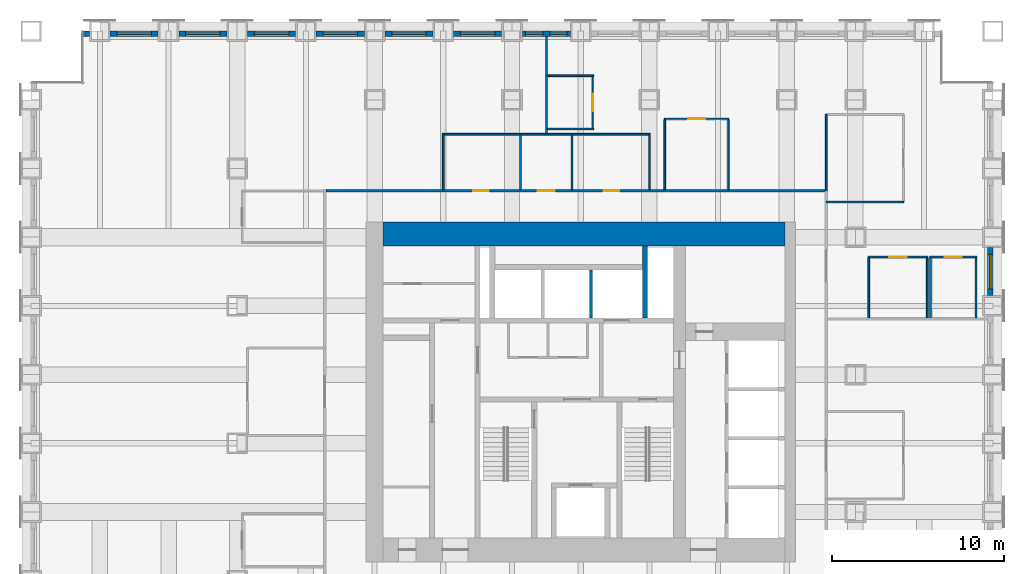
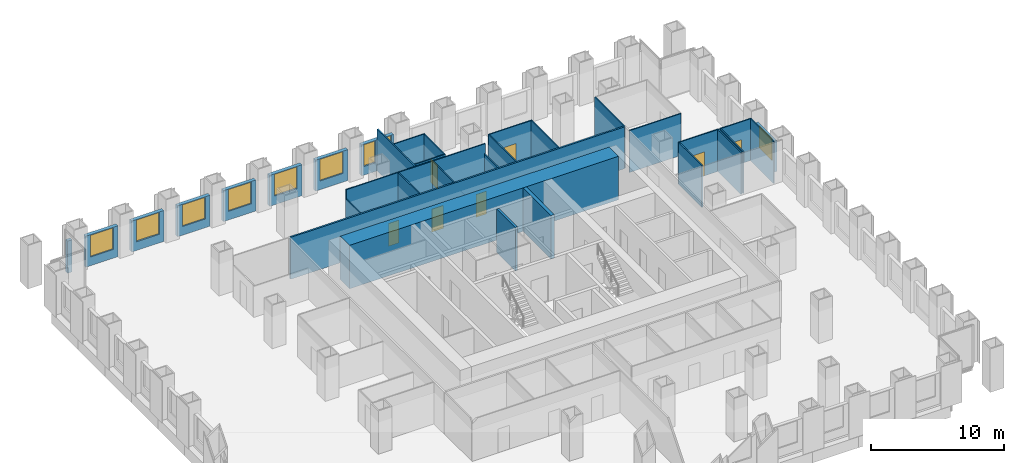
# One storey, part 11 of 14: 33 walls, 9 windows, 7 doors, 16 openings.
"""IFC4 building model written with IfcOpenShell, lengths in metres."""

from ifc_helpers import new_model, si_unit, direction, frame, frame_2d, origin, place, context, subcontext, project, spatial, rectangle, extrude, material, layer, layer_set, type_object, element, fill, save


model = new_model("IFC4")

# Units and contexts
model_context = context("Model", 3, precision=1e-05, world=origin(), true_north=direction((0.0, 1.0)))
body_context = subcontext(model_context, "Body", "Model", "MODEL_VIEW")
ifc_project = project(units=[si_unit("LENGTHUNIT", "METRE"), si_unit("AREAUNIT", "SQUARE_METRE"), si_unit("VOLUMEUNIT", "CUBIC_METRE"), si_unit("PLANEANGLEUNIT", "RADIAN"), si_unit("MASSUNIT", "GRAM", prefix="KILO")], contexts=[model_context])

# Site, building, storey
site_placement = place(None, origin())
site = spatial("IfcSite", under=ifc_project, at=site_placement, CompositionType="ELEMENT")
building_placement = place(site_placement, origin())
building = spatial("IfcBuilding", under=site, at=building_placement, Name="Rimbunsela Tower", CompositionType="ELEMENT")
storey_placement = place(building_placement, frame((0.0, 0.0, 51.0)))
storey = spatial("IfcBuildingStorey", under=building, at=storey_placement, Name="L12", CompositionType="ELEMENT", Elevation=51.0)

# Walls
ifc_material_1 = material(Name="Concrete fc' 80 MPa", Category="concrete")
ifc_layer_1 = layer(ifc_material_1, 0.300048828125)
ifc_layer_set_1 = layer_set([ifc_layer_1], Name="Core internal wall 300")
wall_type_1 = type_object("IfcWallType", Name="Core internal wall 300", PredefinedType="SHEAR", material=ifc_layer_set_1)
wall_1_placement = place(storey_placement, frame((33.75, 31.300048828125, -0.14990234375), z_axis=(0.0, 0.0, 1.0), x_axis=(0.0, 1.0, 0.0)))
element("IfcWall", 1, at=wall_1_placement, inside=storey, type_object=wall_type_1, Name="Riser wall", PredefinedType="SHEAR", context=body_context, shape_type="SweptSolid", body=[
    extrude(rectangle(XDim=4.199951171875, YDim=0.300048828125, at=frame_2d((2.10009765625, 0.0))), origin(), (0.0, 0.0, 1.0), 4.0),
])
ifc_material_2 = material(Name="Concrete fc' 80 MPa", Category="concrete")
ifc_layer_2 = layer(ifc_material_2, 1.39990234375)
ifc_layer_set_2 = layer_set([ifc_layer_2], Name="Core wall 1400")
wall_type_2 = type_object("IfcWallType", Name="Core wall 1400", PredefinedType="SHEAR", material=ifc_layer_set_2)
wall_2_placement = place(storey_placement, frame((18.5, 36.199951171875, -0.14990234375), z_axis=(0.0, 0.0, 1.0), x_axis=(1.0, 0.0, 0.0)))
element("IfcWall", 2, at=wall_2_placement, inside=storey, type_object=wall_type_2, Name="Core wall north", PredefinedType="SHEAR", context=body_context, shape_type="SweptSolid", body=[
    extrude(rectangle(XDim=23.39990234375, YDim=1.39990234375, at=frame_2d((11.699951171875, 0.0))), origin(), (0.0, 0.0, 1.0), 4.0),
])
ifc_material_3 = material(Name="Concrete blockwork", Category="masonry")
ifc_layer_3 = layer(ifc_material_3, 0.199951171875)
ifc_layer_set_3 = layer_set([ifc_layer_3], Name="Lift shaft wall 200")
wall_type_3 = type_object("IfcWallType", Name="Lift shaft wall 200", PredefinedType="SOLIDWALL", material=ifc_layer_set_3)
wall_3_placement = place(storey_placement, frame((30.60009765625, 31.300048828125, -0.14990234375), z_axis=(0.0, 0.0, 1.0), x_axis=(0.0, 1.0, 0.0)))
element("IfcWall", 3, at=wall_3_placement, inside=storey, type_object=wall_type_3, Name="Lift shaft separation", PredefinedType="SOLIDWALL", context=body_context, shape_type="SweptSolid", body=[
    extrude(rectangle(XDim=2.800048828125, YDim=0.199951171875, at=frame_2d((1.39990234375, 0.0))), origin(), (0.0, 0.0, 1.0), 4.0),
])

# Wall, opening, door
ifc_material_4 = material(Name="Gypsum board on steel studs", Category="steel")
ifc_layer_4 = layer(ifc_material_4, 0.10009765625)
ifc_layer_set_4 = layer_set([ifc_layer_4], Name="Office partition 100")
wall_type_4 = type_object("IfcWallType", Name="Office partition 100", PredefinedType="PARTITIONING", material=ifc_layer_set_4)
wall_4_placement = place(storey_placement, frame((46.72509765625, 34.85009765625, 0.0), z_axis=(0.0, 0.0, 1.0), x_axis=(1.0, 0.0, 0.0)))
wall_4 = element("IfcWall", 4, at=wall_4_placement, inside=storey, type_object=wall_type_4, Name="Office partition", PredefinedType="PARTITIONING", context=body_context, shape_type="SweptSolid", body=[
    extrude(rectangle(XDim=3.5, YDim=0.10009765625, at=frame_2d((1.75, 0.0))), origin(), (0.0, 0.0, 1.0), 3.85009765625),
])
opening_1_placement = place(wall_4_placement, frame((1.25, 0.0, 0.0)))
opening_1 = element("IfcOpeningElement", 5, at=opening_1_placement, cuts=wall_4, Name="Opening D16", PredefinedType="OPENING", context=body_context, shape_type="SweptSolid", body=[
    extrude(rectangle(XDim=1.0, YDim=2.199951171875, at=frame_2d((0.5, 1.10009765625))), frame((0.0, 0.06005859375, 0.0), z_axis=(0.0, -1.0, 0.0), x_axis=(1.0, 0.0, 0.0)), (0.0, 0.0, 1.0), 0.1201171875),
])
ifc_material_5 = material(Name="Timber door", Category="wood")
door_type_1 = type_object("IfcDoorType", Name="Office door 1000", OperationType="SINGLE_SWING_LEFT", PredefinedType="DOOR", material=ifc_material_5)
door_1_placement = place(opening_1_placement, origin())
door_1 = element("IfcDoor", 6, at=door_1_placement, inside=storey, type_object=door_type_1, Name="Office door", OperationType="SINGLE_SWING_LEFT", OverallHeight=2.199951171875, OverallWidth=1.0, PredefinedType="DOOR", context=body_context, shape_type="SweptSolid", body=[
    extrude(rectangle(XDim=1.0, YDim=2.199951171875, at=frame_2d((0.5, 1.10009765625))), frame((0.0, 0.02490234375, 0.0), z_axis=(0.0, -1.0, 0.0), x_axis=(1.0, 0.0, 0.0)), (0.0, 0.0, 1.0), 0.050048828125),
])
fill(opening_1, door_1)

wall_5_placement = place(storey_placement, frame((50.324951171875, 34.85009765625, 0.0), z_axis=(0.0, 0.0, 1.0), x_axis=(1.0, 0.0, 0.0)))
wall_5 = element("IfcWall", 7, at=wall_5_placement, inside=storey, type_object=wall_type_4, Name="Office partition", PredefinedType="PARTITIONING", context=body_context, shape_type="SweptSolid", body=[
    extrude(rectangle(XDim=2.75, YDim=0.10009765625, at=frame_2d((1.375, 0.0))), origin(), (0.0, 0.0, 1.0), 3.85009765625),
])
opening_2_placement = place(wall_5_placement, frame((0.875, 0.0, 0.0)))
opening_2 = element("IfcOpeningElement", 8, at=opening_2_placement, cuts=wall_5, Name="Opening D16", PredefinedType="OPENING", context=body_context, shape_type="SweptSolid", body=[
    extrude(rectangle(XDim=1.0, YDim=2.199951171875, at=frame_2d((0.5, 1.10009765625))), frame((0.0, 0.06005859375, 0.0), z_axis=(0.0, -1.0, 0.0), x_axis=(1.0, 0.0, 0.0)), (0.0, 0.0, 1.0), 0.1201171875),
])
door_2_placement = place(opening_2_placement, origin())
door_2 = element("IfcDoor", 9, at=door_2_placement, inside=storey, type_object=door_type_1, Name="Office door", OperationType="SINGLE_SWING_LEFT", OverallHeight=2.199951171875, OverallWidth=1.0, PredefinedType="DOOR", context=body_context, shape_type="SweptSolid", body=[
    extrude(rectangle(XDim=1.0, YDim=2.199951171875, at=frame_2d((0.5, 1.10009765625))), frame((0.0, 0.02490234375, 0.0), z_axis=(0.0, -1.0, 0.0), x_axis=(1.0, 0.0, 0.0)), (0.0, 0.0, 1.0), 0.050048828125),
])
fill(opening_2, door_2)

# Wall
wall_6_placement = place(storey_placement, frame((28.06005859375, 42.300048828125, 0.0), z_axis=(0.0, 0.0, 1.0), x_axis=(1.0, 0.0, 0.0)))
element("IfcWall", 10, at=wall_6_placement, inside=storey, type_object=wall_type_4, Name="Office partition", PredefinedType="PARTITIONING", context=body_context, shape_type="SweptSolid", body=[
    extrude(rectangle(XDim=2.68994140625, YDim=0.10009765625, at=frame_2d((1.344970703125, 0.0))), origin(), (0.0, 0.0, 1.0), 3.85009765625),
])

# Wall, opening, door
wall_7_placement = place(storey_placement, frame((34.85009765625, 42.89990234375, 0.0), z_axis=(0.0, 0.0, 1.0), x_axis=(1.0, 0.0, 0.0)))
wall_7 = element("IfcWall", 11, at=wall_7_placement, inside=storey, type_object=wall_type_4, Name="Office partition", PredefinedType="PARTITIONING", context=body_context, shape_type="SweptSolid", body=[
    extrude(rectangle(XDim=3.7998046875, YDim=0.10009765625, at=frame_2d((1.89990234375, 0.0))), origin(), (0.0, 0.0, 1.0), 3.85009765625),
])
opening_3_placement = place(wall_7_placement, frame((1.39990234375, 0.0, 0.0)))
opening_3 = element("IfcOpeningElement", 12, at=opening_3_placement, cuts=wall_7, Name="Opening D17", PredefinedType="OPENING", context=body_context, shape_type="SweptSolid", body=[
    extrude(rectangle(XDim=1.0, YDim=2.199951171875, at=frame_2d((0.5, 1.10009765625))), frame((0.0, 0.06005859375, 0.0), z_axis=(0.0, -1.0, 0.0), x_axis=(1.0, 0.0, 0.0)), (0.0, 0.0, 1.0), 0.1201171875),
])
ifc_material_6 = material(Name="Glazed aluminium door", Category="aluminium")
door_type_2 = type_object("IfcDoorType", Name="Meeting room door 1000 glazed", OperationType="SINGLE_SWING_RIGHT", PredefinedType="DOOR", material=ifc_material_6)
door_3_placement = place(opening_3_placement, origin())
door_3 = element("IfcDoor", 13, at=door_3_placement, inside=storey, type_object=door_type_2, Name="Meeting room door", OperationType="SINGLE_SWING_RIGHT", OverallHeight=2.199951171875, OverallWidth=1.0, PredefinedType="DOOR", context=body_context, shape_type="SweptSolid", body=[
    extrude(rectangle(XDim=1.0, YDim=2.199951171875, at=frame_2d((0.5, 1.10009765625))), frame((0.0, 0.02490234375, 0.0), z_axis=(0.0, -1.0, 0.0), x_axis=(1.0, 0.0, 0.0)), (0.0, 0.0, 1.0), 0.050048828125),
])
fill(opening_3, door_3)

# Wall
wall_8_placement = place(storey_placement, frame((28.06005859375, 45.39990234375, 0.0), z_axis=(0.0, 0.0, 1.0), x_axis=(1.0, 0.0, 0.0)))
element("IfcWall", 14, at=wall_8_placement, inside=storey, type_object=wall_type_4, Name="Office partition", PredefinedType="PARTITIONING", context=body_context, shape_type="SweptSolid", body=[
    extrude(rectangle(XDim=2.68994140625, YDim=0.10009765625, at=frame_2d((1.344970703125, 0.0))), origin(), (0.0, 0.0, 1.0), 3.85009765625),
])

# Wall, opening, door
wall_9_placement = place(storey_placement, frame((30.699951171875, 42.35009765625, 0.0), z_axis=(0.0, 0.0, 1.0), x_axis=(0.0, 1.0, 0.0)))
wall_9 = element("IfcWall", 15, at=wall_9_placement, inside=storey, type_object=wall_type_4, Name="Office partition", PredefinedType="PARTITIONING", context=body_context, shape_type="SweptSolid", body=[
    extrude(rectangle(XDim=3.0, YDim=0.10009765625, at=frame_2d((1.5, 0.0))), origin(), (0.0, 0.0, 1.0), 3.85009765625),
])
opening_4_placement = place(wall_9_placement, frame((1.0, 0.0, 0.0)))
opening_4 = element("IfcOpeningElement", 16, at=opening_4_placement, cuts=wall_9, Name="Opening D16", PredefinedType="OPENING", context=body_context, shape_type="SweptSolid", body=[
    extrude(rectangle(XDim=1.0, YDim=2.199951171875, at=frame_2d((0.5, 1.10009765625))), frame((0.0, 0.06005859375, 0.0), z_axis=(0.0, -1.0, 0.0), x_axis=(1.0, 0.0, 0.0)), (0.0, 0.0, 1.0), 0.1201171875),
])
door_4_placement = place(opening_4_placement, origin())
door_4 = element("IfcDoor", 17, at=door_4_placement, inside=storey, type_object=door_type_1, Name="Office door", OperationType="SINGLE_SWING_LEFT", OverallHeight=2.199951171875, OverallWidth=1.0, PredefinedType="DOOR", context=body_context, shape_type="SweptSolid", body=[
    extrude(rectangle(XDim=1.0, YDim=2.199951171875, at=frame_2d((0.5, 1.10009765625))), frame((0.0, 0.02490234375, 0.0), z_axis=(0.0, -1.0, 0.0), x_axis=(1.0, 0.0, 0.0)), (0.0, 0.0, 1.0), 0.050048828125),
])
fill(opening_4, door_4)

# Walls
for number, where, z_axis, x_axis, name in (
    (18, (34.89990234375, 38.77490234375, 0.0), (0.0, 0.0, 1.0), (0.0, 1.0, 0.0), "Office partition"),
    (19, (38.60009765625, 38.77490234375, 0.0), (0.0, 0.0, 1.0), (0.0, 1.0, 0.0), "Office partition"),
):
    element("IfcWall", number, at=place(storey_placement, frame(where, z_axis=z_axis, x_axis=x_axis)), inside=storey, type_object=wall_type_4, Name=name, PredefinedType="PARTITIONING", context=body_context, shape_type="SweptSolid", body=[
        extrude(rectangle(XDim=4.0751953125, YDim=0.10009765625, at=frame_2d((2.03759765625, 0.0))), origin(), (0.0, 0.0, 1.0), 3.85009765625),
    ])
for number, where, z_axis, x_axis, name in (
    (20, (46.77490234375, 31.31005859375, 0.0), (0.0, 0.0, 1.0), (0.0, 1.0, 0.0), "Office partition"),
    (21, (50.175048828125, 31.31005859375, 0.0), (0.0, 0.0, 1.0), (0.0, 1.0, 0.0), "Office partition"),
    (22, (50.375, 31.31005859375, 0.0), (0.0, 0.0, 1.0), (0.0, 1.0, 0.0), "Office partition"),
    (23, (53.02490234375, 31.31005859375, 0.0), (0.0, 0.0, 1.0), (0.0, 1.0, 0.0), "Office partition"),
):
    element("IfcWall", number, at=place(storey_placement, frame(where, z_axis=z_axis, x_axis=x_axis)), inside=storey, type_object=wall_type_4, Name=name, PredefinedType="PARTITIONING", context=body_context, shape_type="SweptSolid", body=[
        extrude(rectangle(XDim=3.489990234375, YDim=0.10009765625, at=frame_2d((1.7451171875, 0.0))), origin(), (0.0, 0.0, 1.0), 3.85009765625),
    ])
wall_10_placement = place(storey_placement, frame((44.300048828125, 38.050048828125, 0.0), z_axis=(0.0, 0.0, 1.0), x_axis=(1.0, 0.0, 0.0)))
element("IfcWall", 24, at=wall_10_placement, inside=storey, type_object=wall_type_4, Name="Office partition", PredefinedType="PARTITIONING", context=body_context, shape_type="SweptSolid", body=[
    extrude(rectangle(XDim=4.5, YDim=0.10009765625, at=frame_2d((2.25, 0.0))), origin(), (0.0, 0.0, 1.0), 3.85009765625),
])
wall_11_placement = place(storey_placement, frame((44.300048828125, 43.14990234375, 0.0), z_axis=(0.0, 0.0, 1.0), x_axis=(0.0, -1.0, 0.0)))
element("IfcWall", 25, at=wall_11_placement, inside=storey, type_object=wall_type_4, Name="Office partition", PredefinedType="PARTITIONING", context=body_context, shape_type="SweptSolid", body=[
    extrude(rectangle(XDim=4.449951171875, YDim=0.10009765625, at=frame_2d((2.22509765625, 0.0))), origin(), (0.0, 0.0, 1.0), 3.85009765625),
])

# Wall, opening, window
ifc_material_7 = material(Name="Precast concrete fc' 35 MPa", Category="concrete")
ifc_layer_5 = layer(ifc_material_7, 0.300048828125)
ifc_layer_set_5 = layer_set([ifc_layer_5], Name="Precast concrete fc' 35 MPa")
wall_type_5 = type_object("IfcWallType", Name="Precast facade panel 300", PredefinedType="ELEMENTEDWALL", material=ifc_layer_set_5)
wall_12_placement = place(storey_placement, frame((53.85009765625, 32.60009765625, 0.0), z_axis=(0.0, 0.0, 1.0), x_axis=(0.0, 1.0, 0.0)))
wall_12 = element("IfcWall", 26, at=wall_12_placement, inside=storey, type_object=wall_type_5, Name="Facade panel E L12", PredefinedType="ELEMENTEDWALL", context=body_context, shape_type="SweptSolid", body=[
    extrude(rectangle(XDim=2.7998046875, YDim=0.300048828125, at=frame_2d((1.39990234375, 0.0))), origin(), (0.0, 0.0, 1.0), 2.85009765625),
])
opening_5_placement = place(wall_12_placement, frame((0.39990234375, 0.0, 0.800048828125)))
opening_5 = element("IfcOpeningElement", 27, at=opening_5_placement, cuts=wall_12, Name="Opening W1", PredefinedType="OPENING", context=body_context, shape_type="SweptSolid", body=[
    extrude(rectangle(XDim=2.0, YDim=2.0, at=frame_2d((1.0, 1.0))), frame((0.0, 0.159912109375, 0.0), z_axis=(0.0, -1.0, 0.0), x_axis=(1.0, 0.0, 0.0)), (0.0, 0.0, 1.0), 0.320068359375),
])
ifc_material_8 = material(Name="Clear glass in aluminium frame", Category="aluminium")
window_type_1 = type_object("IfcWindowType", Name="Window W1 2000x2000", PartitioningType="DOUBLE_PANEL_VERTICAL", PredefinedType="WINDOW", material=ifc_material_8)
window_1_placement = place(opening_5_placement, origin())
window_1 = element("IfcWindow", 28, at=window_1_placement, inside=storey, type_object=window_type_1, Name="Window L12", OverallHeight=2.0, OverallWidth=2.0, PartitioningType="SINGLE_PANEL", PredefinedType="WINDOW", context=body_context, shape_type="SweptSolid", body=[
    extrude(rectangle(XDim=2.0, YDim=2.0, at=frame_2d((1.0, 1.0))), frame((0.0, 0.030029296875, 0.0), z_axis=(0.0, -1.0, 0.0), x_axis=(1.0, 0.0, 0.0)), (0.0, 0.0, 1.0), 0.06005859375),
])
fill(opening_5, window_1)

# Wall
wall_13_placement = place(storey_placement, frame((1.39990234375, 47.85009765625, 0.0), z_axis=(0.0, 0.0, 1.0), x_axis=(-1.0, 0.0, 0.0)))
element("IfcWall", 29, at=wall_13_placement, inside=storey, type_object=wall_type_5, Name="Facade panel N L12", PredefinedType="ELEMENTEDWALL", context=body_context, shape_type="SweptSolid", body=[
    extrude(rectangle(XDim=0.369873046875, YDim=0.300048828125, at=frame_2d((0.18505859375, 0.0))), origin(), (0.0, 0.0, 1.0), 2.949951171875),
])

# Wall, opening, window
wall_14_placement = place(storey_placement, frame((5.39990234375, 47.85009765625, 0.0), z_axis=(0.0, 0.0, 1.0), x_axis=(-1.0, 0.0, 0.0)))
wall_14 = element("IfcWall", 30, at=wall_14_placement, inside=storey, type_object=wall_type_5, Name="Facade panel N L12", PredefinedType="ELEMENTEDWALL", context=body_context, shape_type="SweptSolid", body=[
    extrude(rectangle(XDim=2.7998046875, YDim=0.300048828125, at=frame_2d((1.39990234375, 0.0))), origin(), (0.0, 0.0, 1.0), 2.85009765625),
])
opening_6_placement = place(wall_14_placement, frame((0.39990234375, 0.0, 0.800048828125)))
opening_6 = element("IfcOpeningElement", 31, at=opening_6_placement, cuts=wall_14, Name="Opening W1", PredefinedType="OPENING", context=body_context, shape_type="SweptSolid", body=[
    extrude(rectangle(XDim=2.0, YDim=2.0, at=frame_2d((1.0, 1.0))), frame((0.0, 0.159912109375, 0.0), z_axis=(0.0, -1.0, 0.0), x_axis=(1.0, 0.0, 0.0)), (0.0, 0.0, 1.0), 0.320068359375),
])
window_2_placement = place(opening_6_placement, origin())
window_2 = element("IfcWindow", 32, at=window_2_placement, inside=storey, type_object=window_type_1, Name="Window L12", OverallHeight=2.0, OverallWidth=2.0, PartitioningType="SINGLE_PANEL", PredefinedType="WINDOW", context=body_context, shape_type="SweptSolid", body=[
    extrude(rectangle(XDim=2.0, YDim=2.0, at=frame_2d((1.0, 1.0))), frame((0.0, 0.030029296875, 0.0), z_axis=(0.0, -1.0, 0.0), x_axis=(1.0, 0.0, 0.0)), (0.0, 0.0, 1.0), 0.06005859375),
])
fill(opening_6, window_2)

wall_15_placement = place(storey_placement, frame((9.39990234375, 47.85009765625, 0.0), z_axis=(0.0, 0.0, 1.0), x_axis=(-1.0, 0.0, 0.0)))
wall_15 = element("IfcWall", 33, at=wall_15_placement, inside=storey, type_object=wall_type_5, Name="Facade panel N L12", PredefinedType="ELEMENTEDWALL", context=body_context, shape_type="SweptSolid", body=[
    extrude(rectangle(XDim=2.7998046875, YDim=0.300048828125, at=frame_2d((1.39990234375, 0.0))), origin(), (0.0, 0.0, 1.0), 2.85009765625),
])
opening_7_placement = place(wall_15_placement, frame((0.39990234375, 0.0, 0.800048828125)))
opening_7 = element("IfcOpeningElement", 34, at=opening_7_placement, cuts=wall_15, Name="Opening W1", PredefinedType="OPENING", context=body_context, shape_type="SweptSolid", body=[
    extrude(rectangle(XDim=2.0, YDim=2.0, at=frame_2d((1.0, 1.0))), frame((0.0, 0.159912109375, 0.0), z_axis=(0.0, -1.0, 0.0), x_axis=(1.0, 0.0, 0.0)), (0.0, 0.0, 1.0), 0.320068359375),
])
window_3_placement = place(opening_7_placement, origin())
window_3 = element("IfcWindow", 35, at=window_3_placement, inside=storey, type_object=window_type_1, Name="Window L12", OverallHeight=2.0, OverallWidth=2.0, PartitioningType="SINGLE_PANEL", PredefinedType="WINDOW", context=body_context, shape_type="SweptSolid", body=[
    extrude(rectangle(XDim=2.0, YDim=2.0, at=frame_2d((1.0, 1.0))), frame((0.0, 0.030029296875, 0.0), z_axis=(0.0, -1.0, 0.0), x_axis=(1.0, 0.0, 0.0)), (0.0, 0.0, 1.0), 0.06005859375),
])
fill(opening_7, window_3)

wall_16_placement = place(storey_placement, frame((13.39990234375, 47.85009765625, 0.0), z_axis=(0.0, 0.0, 1.0), x_axis=(-1.0, 0.0, 0.0)))
wall_16 = element("IfcWall", 36, at=wall_16_placement, inside=storey, type_object=wall_type_5, Name="Facade panel N L12", PredefinedType="ELEMENTEDWALL", context=body_context, shape_type="SweptSolid", body=[
    extrude(rectangle(XDim=2.7998046875, YDim=0.300048828125, at=frame_2d((1.39990234375, 0.0))), origin(), (0.0, 0.0, 1.0), 2.85009765625),
])
opening_8_placement = place(wall_16_placement, frame((0.39990234375, 0.0, 0.800048828125)))
opening_8 = element("IfcOpeningElement", 37, at=opening_8_placement, cuts=wall_16, Name="Opening W1", PredefinedType="OPENING", context=body_context, shape_type="SweptSolid", body=[
    extrude(rectangle(XDim=2.0, YDim=2.0, at=frame_2d((1.0, 1.0))), frame((0.0, 0.159912109375, 0.0), z_axis=(0.0, -1.0, 0.0), x_axis=(1.0, 0.0, 0.0)), (0.0, 0.0, 1.0), 0.320068359375),
])
window_4_placement = place(opening_8_placement, origin())
window_4 = element("IfcWindow", 38, at=window_4_placement, inside=storey, type_object=window_type_1, Name="Window L12", OverallHeight=2.0, OverallWidth=2.0, PartitioningType="SINGLE_PANEL", PredefinedType="WINDOW", context=body_context, shape_type="SweptSolid", body=[
    extrude(rectangle(XDim=2.0, YDim=2.0, at=frame_2d((1.0, 1.0))), frame((0.0, 0.030029296875, 0.0), z_axis=(0.0, -1.0, 0.0), x_axis=(1.0, 0.0, 0.0)), (0.0, 0.0, 1.0), 0.06005859375),
])
fill(opening_8, window_4)

wall_17_placement = place(storey_placement, frame((17.39990234375, 47.85009765625, 0.0), z_axis=(0.0, 0.0, 1.0), x_axis=(-1.0, 0.0, 0.0)))
wall_17 = element("IfcWall", 39, at=wall_17_placement, inside=storey, type_object=wall_type_5, Name="Facade panel N L12", PredefinedType="ELEMENTEDWALL", context=body_context, shape_type="SweptSolid", body=[
    extrude(rectangle(XDim=2.7998046875, YDim=0.300048828125, at=frame_2d((1.39990234375, 0.0))), origin(), (0.0, 0.0, 1.0), 2.85009765625),
])
opening_9_placement = place(wall_17_placement, frame((0.39990234375, 0.0, 0.800048828125)))
opening_9 = element("IfcOpeningElement", 40, at=opening_9_placement, cuts=wall_17, Name="Opening W1", PredefinedType="OPENING", context=body_context, shape_type="SweptSolid", body=[
    extrude(rectangle(XDim=2.0, YDim=2.0, at=frame_2d((1.0, 1.0))), frame((0.0, 0.159912109375, 0.0), z_axis=(0.0, -1.0, 0.0), x_axis=(1.0, 0.0, 0.0)), (0.0, 0.0, 1.0), 0.320068359375),
])
window_5_placement = place(opening_9_placement, origin())
window_5 = element("IfcWindow", 41, at=window_5_placement, inside=storey, type_object=window_type_1, Name="Window L12", OverallHeight=2.0, OverallWidth=2.0, PartitioningType="SINGLE_PANEL", PredefinedType="WINDOW", context=body_context, shape_type="SweptSolid", body=[
    extrude(rectangle(XDim=2.0, YDim=2.0, at=frame_2d((1.0, 1.0))), frame((0.0, 0.030029296875, 0.0), z_axis=(0.0, -1.0, 0.0), x_axis=(1.0, 0.0, 0.0)), (0.0, 0.0, 1.0), 0.06005859375),
])
fill(opening_9, window_5)

wall_18_placement = place(storey_placement, frame((21.39990234375, 47.85009765625, 0.0), z_axis=(0.0, 0.0, 1.0), x_axis=(-1.0, 0.0, 0.0)))
wall_18 = element("IfcWall", 42, at=wall_18_placement, inside=storey, type_object=wall_type_5, Name="Facade panel N L12", PredefinedType="ELEMENTEDWALL", context=body_context, shape_type="SweptSolid", body=[
    extrude(rectangle(XDim=2.7998046875, YDim=0.300048828125, at=frame_2d((1.39990234375, 0.0))), origin(), (0.0, 0.0, 1.0), 2.85009765625),
])
opening_10_placement = place(wall_18_placement, frame((0.39990234375, 0.0, 0.800048828125)))
opening_10 = element("IfcOpeningElement", 43, at=opening_10_placement, cuts=wall_18, Name="Opening W1", PredefinedType="OPENING", context=body_context, shape_type="SweptSolid", body=[
    extrude(rectangle(XDim=2.0, YDim=2.0, at=frame_2d((1.0, 1.0))), frame((0.0, 0.159912109375, 0.0), z_axis=(0.0, -1.0, 0.0), x_axis=(1.0, 0.0, 0.0)), (0.0, 0.0, 1.0), 0.320068359375),
])
window_6_placement = place(opening_10_placement, origin())
window_6 = element("IfcWindow", 44, at=window_6_placement, inside=storey, type_object=window_type_1, Name="Window L12", OverallHeight=2.0, OverallWidth=2.0, PartitioningType="SINGLE_PANEL", PredefinedType="WINDOW", context=body_context, shape_type="SweptSolid", body=[
    extrude(rectangle(XDim=2.0, YDim=2.0, at=frame_2d((1.0, 1.0))), frame((0.0, 0.030029296875, 0.0), z_axis=(0.0, -1.0, 0.0), x_axis=(1.0, 0.0, 0.0)), (0.0, 0.0, 1.0), 0.06005859375),
])
fill(opening_10, window_6)

wall_19_placement = place(storey_placement, frame((25.39990234375, 47.85009765625, 0.0), z_axis=(0.0, 0.0, 1.0), x_axis=(-1.0, 0.0, 0.0)))
wall_19 = element("IfcWall", 45, at=wall_19_placement, inside=storey, type_object=wall_type_5, Name="Facade panel N L12", PredefinedType="ELEMENTEDWALL", context=body_context, shape_type="SweptSolid", body=[
    extrude(rectangle(XDim=2.7998046875, YDim=0.300048828125, at=frame_2d((1.39990234375, 0.0))), origin(), (0.0, 0.0, 1.0), 2.85009765625),
])
opening_11_placement = place(wall_19_placement, frame((0.39990234375, 0.0, 0.800048828125)))
opening_11 = element("IfcOpeningElement", 46, at=opening_11_placement, cuts=wall_19, Name="Opening W1", PredefinedType="OPENING", context=body_context, shape_type="SweptSolid", body=[
    extrude(rectangle(XDim=2.0, YDim=2.0, at=frame_2d((1.0, 1.0))), frame((0.0, 0.159912109375, 0.0), z_axis=(0.0, -1.0, 0.0), x_axis=(1.0, 0.0, 0.0)), (0.0, 0.0, 1.0), 0.320068359375),
])
window_7_placement = place(opening_11_placement, origin())
window_7 = element("IfcWindow", 47, at=window_7_placement, inside=storey, type_object=window_type_1, Name="Window L12", OverallHeight=2.0, OverallWidth=2.0, PartitioningType="SINGLE_PANEL", PredefinedType="WINDOW", context=body_context, shape_type="SweptSolid", body=[
    extrude(rectangle(XDim=2.0, YDim=2.0, at=frame_2d((1.0, 1.0))), frame((0.0, 0.030029296875, 0.0), z_axis=(0.0, -1.0, 0.0), x_axis=(1.0, 0.0, 0.0)), (0.0, 0.0, 1.0), 0.06005859375),
])
fill(opening_11, window_7)

# Wall, openings, windows
wall_20_placement = place(storey_placement, frame((29.39990234375, 47.85009765625, 0.0), z_axis=(0.0, 0.0, 1.0), x_axis=(-1.0, 0.0, 0.0)))
wall_20 = element("IfcWall", 48, at=wall_20_placement, inside=storey, type_object=wall_type_5, Name="Facade panel N L12", PredefinedType="ELEMENTEDWALL", context=body_context, shape_type="SweptSolid", body=[
    extrude(rectangle(XDim=2.7998046875, YDim=0.300048828125, at=frame_2d((1.39990234375, 0.0))), origin(), (0.0, 0.0, 1.0), 2.85009765625),
])
opening_12_placement = place(wall_20_placement, frame((1.60009765625, 0.0, 0.800048828125)))
opening_12 = element("IfcOpeningElement", 49, at=opening_12_placement, cuts=wall_20, Name="Opening W5", PredefinedType="OPENING", context=body_context, shape_type="SweptSolid", body=[
    extrude(rectangle(XDim=1.0, YDim=2.0, at=frame_2d((0.5, 1.0))), frame((0.0, 0.159912109375, 0.0), z_axis=(0.0, -1.0, 0.0), x_axis=(1.0, 0.0, 0.0)), (0.0, 0.0, 1.0), 0.320068359375),
])
opening_13_placement = place(wall_20_placement, frame((0.199951171875, 0.0, 0.800048828125)))
opening_13 = element("IfcOpeningElement", 50, at=opening_13_placement, cuts=wall_20, Name="Opening W5", PredefinedType="OPENING", context=body_context, shape_type="SweptSolid", body=[
    extrude(rectangle(XDim=1.0, YDim=2.0, at=frame_2d((0.5, 1.0))), frame((0.0, 0.159912109375, 0.0), z_axis=(0.0, -1.0, 0.0), x_axis=(1.0, 0.0, 0.0)), (0.0, 0.0, 1.0), 0.320068359375),
])
ifc_material_9 = material(Name="Clear glass in aluminium frame", Category="aluminium")
window_type_2 = type_object("IfcWindowType", Name="Window W5 1000x2000", PartitioningType="SINGLE_PANEL", PredefinedType="WINDOW", material=ifc_material_9)
window_8_placement = place(opening_12_placement, origin())
window_8 = element("IfcWindow", 51, at=window_8_placement, inside=storey, type_object=window_type_2, Name="Window L12", OverallHeight=2.0, OverallWidth=1.0, PartitioningType="SINGLE_PANEL", PredefinedType="WINDOW", context=body_context, shape_type="SweptSolid", body=[
    extrude(rectangle(XDim=1.0, YDim=2.0, at=frame_2d((0.5, 1.0))), frame((0.0, 0.030029296875, 0.0), z_axis=(0.0, -1.0, 0.0), x_axis=(1.0, 0.0, 0.0)), (0.0, 0.0, 1.0), 0.06005859375),
])
fill(opening_12, window_8)
window_9_placement = place(opening_13_placement, origin())
window_9 = element("IfcWindow", 52, at=window_9_placement, inside=storey, type_object=window_type_2, Name="Window L12", OverallHeight=2.0, OverallWidth=1.0, PartitioningType="SINGLE_PANEL", PredefinedType="WINDOW", context=body_context, shape_type="SweptSolid", body=[
    extrude(rectangle(XDim=1.0, YDim=2.0, at=frame_2d((0.5, 1.0))), frame((0.0, 0.030029296875, 0.0), z_axis=(0.0, -1.0, 0.0), x_axis=(1.0, 0.0, 0.0)), (0.0, 0.0, 1.0), 0.06005859375),
])
fill(opening_13, window_9)

# Wall, openings, doors
ifc_material_10 = material(Name="Fire-rated gypsum board on steel studs, EI 60", Category="steel")
ifc_layer_6 = layer(ifc_material_10, 0.14990234375)
ifc_layer_set_6 = layer_set([ifc_layer_6], Name="Rated corridor wall 150")
wall_type_6 = type_object("IfcWallType", Name="Rated corridor wall 150", PredefinedType="PARTITIONING", material=ifc_layer_set_6)
wall_21_placement = place(storey_placement, frame((15.175048828125, 38.699951171875, 0.0), z_axis=(0.0, 0.0, 1.0), x_axis=(1.0, 0.0, 0.0)))
wall_21 = element("IfcWall", 53, at=wall_21_placement, inside=storey, type_object=wall_type_6, Name="Corridor wall north", PredefinedType="PARTITIONING", context=body_context, shape_type="SweptSolid", body=[
    extrude(rectangle(XDim=29.050048828125, YDim=0.14990234375, at=frame_2d((14.52490234375, 0.0))), origin(), (0.0, 0.0, 1.0), 3.85009765625),
])
opening_14_placement = place(wall_21_placement, frame((8.574951171875, 0.0, 0.0)))
opening_14 = element("IfcOpeningElement", 54, at=opening_14_placement, cuts=wall_21, Name="Opening D04", PredefinedType="OPENING", context=body_context, shape_type="SweptSolid", body=[
    extrude(rectangle(XDim=0.89990234375, YDim=2.10009765625, at=frame_2d((0.449951171875, 1.050048828125))), frame((0.0, 0.0849609375, 0.0), z_axis=(0.0, -1.0, 0.0), x_axis=(1.0, 0.0, 0.0)), (0.0, 0.0, 1.0), 0.169921875),
])
opening_15_placement = place(wall_21_placement, frame((12.324951171875, 0.0, 0.0)))
opening_15 = element("IfcOpeningElement", 55, at=opening_15_placement, cuts=wall_21, Name="Opening D05", PredefinedType="OPENING", context=body_context, shape_type="SweptSolid", body=[
    extrude(rectangle(XDim=1.0, YDim=2.10009765625, at=frame_2d((0.5, 1.050048828125))), frame((0.0, 0.0849609375, 0.0), z_axis=(0.0, -1.0, 0.0), x_axis=(1.0, 0.0, 0.0)), (0.0, 0.0, 1.0), 0.169921875),
])
opening_16_placement = place(wall_21_placement, frame((16.175048828125, 0.0, 0.0)))
opening_16 = element("IfcOpeningElement", 56, at=opening_16_placement, cuts=wall_21, Name="Opening D04", PredefinedType="OPENING", context=body_context, shape_type="SweptSolid", body=[
    extrude(rectangle(XDim=0.89990234375, YDim=2.10009765625, at=frame_2d((0.449951171875, 1.050048828125))), frame((0.0, 0.0849609375, 0.0), z_axis=(0.0, -1.0, 0.0), x_axis=(1.0, 0.0, 0.0)), (0.0, 0.0, 1.0), 0.169921875),
])
ifc_material_11 = material(Name="Timber door", Category="wood")
door_type_3 = type_object("IfcDoorType", Name="Accessible WC door 1000", OperationType="SLIDING_TO_LEFT", PredefinedType="DOOR", material=ifc_material_11)
door_5_placement = place(opening_15_placement, origin())
door_5 = element("IfcDoor", 57, at=door_5_placement, inside=storey, type_object=door_type_3, Name="Accessible WC door", OperationType="SLIDING_TO_LEFT", OverallHeight=2.10009765625, OverallWidth=1.0, PredefinedType="DOOR", context=body_context, shape_type="SweptSolid", body=[
    extrude(rectangle(XDim=1.0, YDim=2.10009765625, at=frame_2d((0.5, 1.050048828125))), frame((0.0, 0.02490234375, 0.0), z_axis=(0.0, -1.0, 0.0), x_axis=(1.0, 0.0, 0.0)), (0.0, 0.0, 1.0), 0.050048828125),
])
fill(opening_15, door_5)
ifc_material_12 = material(Name="Timber door", Category="wood")
door_type_4 = type_object("IfcDoorType", Name="Toilet door 900", OperationType="SINGLE_SWING_LEFT", PredefinedType="DOOR", material=ifc_material_12)
door_6_placement = place(opening_14_placement, origin())
door_6 = element("IfcDoor", 58, at=door_6_placement, inside=storey, type_object=door_type_4, Name="Female WC door", OperationType="SINGLE_SWING_LEFT", OverallHeight=2.10009765625, OverallWidth=0.89990234375, PredefinedType="DOOR", context=body_context, shape_type="SweptSolid", body=[
    extrude(rectangle(XDim=0.89990234375, YDim=2.10009765625, at=frame_2d((0.449951171875, 1.050048828125))), frame((0.0, 0.02490234375, 0.0), z_axis=(0.0, -1.0, 0.0), x_axis=(1.0, 0.0, 0.0)), (0.0, 0.0, 1.0), 0.050048828125),
])
fill(opening_14, door_6)
door_7_placement = place(opening_16_placement, origin())
door_7 = element("IfcDoor", 59, at=door_7_placement, inside=storey, type_object=door_type_4, Name="Male WC door", OperationType="SINGLE_SWING_LEFT", OverallHeight=2.10009765625, OverallWidth=0.89990234375, PredefinedType="DOOR", context=body_context, shape_type="SweptSolid", body=[
    extrude(rectangle(XDim=0.89990234375, YDim=2.10009765625, at=frame_2d((0.449951171875, 1.050048828125))), frame((0.0, 0.02490234375, 0.0), z_axis=(0.0, -1.0, 0.0), x_axis=(1.0, 0.0, 0.0)), (0.0, 0.0, 1.0), 0.050048828125),
])
fill(opening_16, door_7)

# Walls
ifc_material_13 = material(Name="Gypsum board on steel studs", Category="steel")
ifc_layer_7 = layer(ifc_material_13, 0.1201171875)
ifc_layer_set_7 = layer_set([ifc_layer_7], Name="Tenancy partition 120")
wall_type_7 = type_object("IfcWallType", Name="Tenancy partition 120", PredefinedType="PARTITIONING", material=ifc_layer_set_7)
wall_22_placement = place(storey_placement, frame((28.0, 42.050048828125, 0.0), z_axis=(0.0, 0.0, 1.0), x_axis=(0.0, 1.0, 0.0)))
element("IfcWall", 60, at=wall_22_placement, inside=storey, type_object=wall_type_7, Name="Tenancy partition north", PredefinedType="PARTITIONING", context=body_context, shape_type="SweptSolid", body=[
    extrude(rectangle(XDim=5.64990234375, YDim=0.1201171875, at=frame_2d((2.824951171875, 0.0))), origin(), (0.0, 0.0, 1.0), 3.85009765625),
])
ifc_material_14 = material(Name="Concrete blockwork", Category="masonry")
ifc_layer_8 = layer(ifc_material_14, 0.10009765625)
ifc_layer_set_8 = layer_set([ifc_layer_8], Name="Toilet partition 100")
wall_type_8 = type_object("IfcWallType", Name="Toilet partition 100", PredefinedType="PARTITIONING", material=ifc_layer_set_8)
for number, where, z_axis, x_axis, name in (
    (61, (22.0, 38.77490234375, 0.0), (0.0, 0.0, 1.0), (0.0, 1.0, 0.0), "Toilet block wall west"),
    (62, (34.0, 38.77490234375, 0.0), (0.0, 0.0, 1.0), (0.0, 1.0, 0.0), "Toilet block wall east"),
):
    element("IfcWall", number, at=place(storey_placement, frame(where, z_axis=z_axis, x_axis=x_axis)), inside=storey, type_object=wall_type_8, Name=name, PredefinedType="PARTITIONING", context=body_context, shape_type="SweptSolid", body=[
        extrude(rectangle(XDim=3.275146484375, YDim=0.10009765625, at=frame_2d((1.6376953125, 0.0))), origin(), (0.0, 0.0, 1.0), 2.949951171875),
    ])
wall_23_placement = place(storey_placement, frame((21.949951171875, 42.0, 0.0), z_axis=(0.0, 0.0, 1.0), x_axis=(1.0, 0.0, 0.0)))
element("IfcWall", 63, at=wall_23_placement, inside=storey, type_object=wall_type_8, Name="Toilet block wall north", PredefinedType="PARTITIONING", context=body_context, shape_type="SweptSolid", body=[
    extrude(rectangle(XDim=12.10009765625, YDim=0.10009765625, at=frame_2d((6.050048828125, 0.0))), origin(), (0.0, 0.0, 1.0), 3.85009765625),
])
for number, where, z_axis, x_axis, name in (
    (64, (26.5, 38.77490234375, 0.0), (0.0, 0.0, 1.0), (0.0, 1.0, 0.0), "Toilet partition"),
    (65, (29.5, 38.77490234375, 0.0), (0.0, 0.0, 1.0), (0.0, 1.0, 0.0), "Toilet partition"),
):
    element("IfcWall", number, at=place(storey_placement, frame(where, z_axis=z_axis, x_axis=x_axis)), inside=storey, type_object=wall_type_8, Name=name, PredefinedType="PARTITIONING", context=body_context, shape_type="SweptSolid", body=[
        extrude(rectangle(XDim=3.175048828125, YDim=0.10009765625, at=frame_2d((1.58740234375, 0.0))), origin(), (0.0, 0.0, 1.0), 3.85009765625),
    ])

save(model, "model.ifc")
